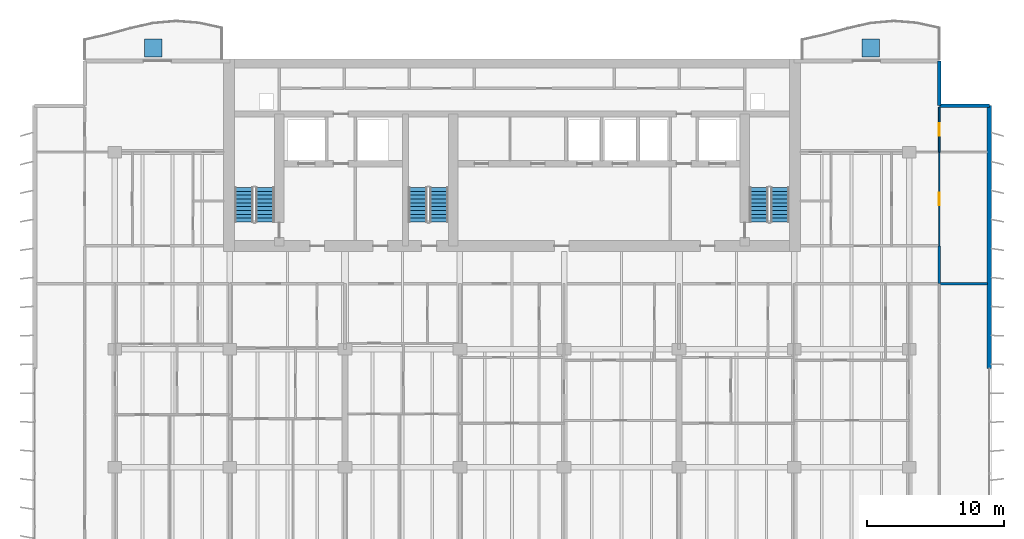
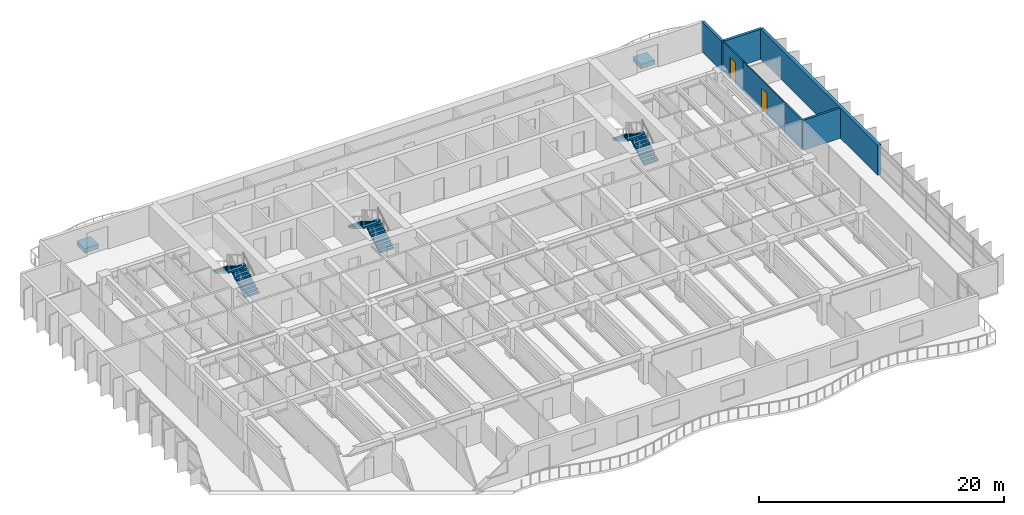
# One storey, part 12 of 16: 7 walls, 6 stair flights, 2 discrete accessories, 2 doors, 2 openings, 3 elements without a shape of their own.
"""IFC4 building model written with IfcOpenShell, lengths in metres."""

from ifc_helpers import new_model, si_unit, direction, frame, frame_2d, origin, origin_2d, place, context, subcontext, project, spatial, polyline, rectangle, outline, extrude, material, layer, layer_set, type_object, element, fill, aggregate, save


model = new_model("IFC4")

# Units and contexts
model_context = context("Model", 3, precision=1e-05, world=origin(), true_north=direction((0.0, 1.0)))
body_context = subcontext(model_context, "Body", "Model", "MODEL_VIEW")
ifc_project = project(units=[si_unit("LENGTHUNIT", "METRE"), si_unit("AREAUNIT", "SQUARE_METRE"), si_unit("VOLUMEUNIT", "CUBIC_METRE"), si_unit("PLANEANGLEUNIT", "RADIAN"), si_unit("MASSUNIT", "GRAM", prefix="KILO")], contexts=[model_context])

# Site, building, storey
site_placement = place(None, origin())
site = spatial("IfcSite", under=ifc_project, at=site_placement, CompositionType="ELEMENT")
building_placement = place(site_placement, origin())
building = spatial("IfcBuilding", under=site, at=building_placement, Name="Caelmar Bay Residences", CompositionType="ELEMENT")
storey_placement = place(building_placement, frame((0.0, 0.0, 148.800048828125)))
storey = spatial("IfcBuildingStorey", under=building, at=storey_placement, Name="L41", CompositionType="ELEMENT", Elevation=148.800048828125)

# Walls
ifc_material_1 = material(Name="Double-stud acoustic fire-rated gypsum partition 180 mm")
ifc_layer_1 = layer(ifc_material_1, 0.179931640625)
ifc_layer_set_1 = layer_set([ifc_layer_1], Name="Double-stud acoustic fire-rated gypsum partition 180 mm")
wall_type_1 = type_object("IfcWallType", Name="W-COR-200", PredefinedType="PARTITIONING", material=ifc_layer_set_1)
wall_1_placement = place(storey_placement, frame((70.10009765625, 34.205078125, 0.0), z_axis=(0.0, 0.0, 1.0), x_axis=(0.0, 1.0, 0.0)))
element("IfcWall", 1, at=wall_1_placement, inside=storey, type_object=wall_type_1, Name="L41 Partition Wall V087", PredefinedType="PARTITIONING", context=body_context, shape_type="SweptSolid", body=[
    extrude(rectangle(XDim=2.744873046875, YDim=0.179931640625, at=frame_2d((1.37255859375, 0.0))), origin(), (0.0, 0.0, 1.0), 3.0),
])
ifc_material_2 = material(Name="Precast concrete f'c 40 MPa (6,000 psi)", Category="concrete")
ifc_layer_2 = layer(ifc_material_2, 0.25)
ifc_layer_set_2 = layer_set([ifc_layer_2], Name="Precast concrete f'c 40 MPa (6,000 psi)")
wall_type_2 = type_object("IfcWallType", Name="W-EXT-250", PredefinedType="ELEMENTEDWALL", material=ifc_layer_set_2)
wall_2_placement = place(storey_placement, frame((70.10009765625, 50.449951171875, 0.0), z_axis=(0.0, 0.0, 1.0), x_axis=(0.0, -1.0, 0.0)))
element("IfcWall", 2, at=wall_2_placement, inside=storey, type_object=wall_type_2, Name="L41 NNE-V Notch Wall", PredefinedType="ELEMENTEDWALL", context=body_context, shape_type="SweptSolid", body=[
    extrude(rectangle(XDim=3.25, YDim=0.25, at=frame_2d((1.625, 0.0))), origin(), (0.0, 0.0, 1.0), 3.0),
])
wall_3_placement = place(storey_placement, frame((70.10009765625, 47.199951171875, 0.0), z_axis=(0.0, 0.0, 1.0), x_axis=(1.0, 0.0, 0.0)))
element("IfcWall", 3, at=wall_3_placement, inside=storey, type_object=wall_type_2, Name="L41 NNE-H Notch Wall", PredefinedType="ELEMENTEDWALL", context=body_context, shape_type="SweptSolid", body=[
    extrude(rectangle(XDim=3.64990234375, YDim=0.25, at=frame_2d((1.824951171875, 0.0))), origin(), (0.0, 0.0, 1.0), 3.0),
])
ifc_layer_3 = layer(ifc_material_2, 0.300048828125)
ifc_layer_set_3 = layer_set([ifc_layer_3], Name="Precast concrete f'c 40 MPa (6,000 psi)")
wall_type_3 = type_object("IfcWallType", Name="W-EXT-300", PredefinedType="STANDARD", material=ifc_layer_set_3)
wall_4_placement = place(storey_placement, frame((73.75, 47.199951171875, 0.0), z_axis=(0.0, 0.0, 1.0), x_axis=(0.0, -1.0, 0.0)))
element("IfcWall", 4, at=wall_4_placement, inside=storey, type_object=wall_type_3, Name="L41 East Rear Exterior Wall", PredefinedType="STANDARD", context=body_context, shape_type="SweptSolid", body=[
    extrude(rectangle(XDim=19.199951171875, YDim=0.300048828125, at=frame_2d((9.60009765625, 0.0))), origin(), (0.0, 0.0, 1.0), 3.0),
])

# Wall, opening, door
ifc_material_3 = material(Name="Anodised bronze framed acoustic sliding study partition 100 mm")
ifc_layer_4 = layer(ifc_material_3, 0.10009765625)
ifc_layer_set_4 = layer_set([ifc_layer_4], Name="Anodised bronze framed acoustic sliding study partition 100 mm")
wall_type_4 = type_object("IfcWallType", Name="W-MOV-100", PredefinedType="MOVABLE", material=ifc_layer_set_4)
wall_5_placement = place(storey_placement, frame((70.10009765625, 36.955078125, 0.0), z_axis=(0.0, 0.0, 1.0), x_axis=(0.0, 1.0, 0.0)))
wall_5 = element("IfcWall", 5, at=wall_5_placement, inside=storey, type_object=wall_type_4, Name="L41 Partition Wall V088", PredefinedType="MOVABLE", context=body_context, shape_type="SweptSolid", body=[
    extrude(rectangle(XDim=6.844970703125, YDim=0.10009765625, at=frame_2d((3.42236328125, 0.0))), origin(), (0.0, 0.0, 1.0), 3.0),
])
opening_1_placement = place(wall_5_placement, frame((2.972412109375, 0.0, 0.0)))
opening_1 = element("IfcOpeningElement", 6, at=opening_1_placement, cuts=wall_5, Name="Opening D-L41-180", PredefinedType="OPENING", context=body_context, shape_type="SweptSolid", body=[
    extrude(rectangle(XDim=0.89990234375, YDim=2.14990234375, at=frame_2d((0.449951171875, 1.074951171875))), frame((0.0, 0.06005859375, 0.0), z_axis=(0.0, -1.0, 0.0), x_axis=(1.0, 0.0, 0.0)), (0.0, 0.0, 1.0), 0.1201171875),
])
ifc_material_4 = material(Name="Solid walnut timber interior door leaf and frame", Category="wood")
ifc_layer_5 = layer(ifc_material_4, 0.050048828125)
ifc_layer_set_5 = layer_set([ifc_layer_5], Name="Solid walnut timber interior door leaf and frame")
door_type = type_object("IfcDoorType", Name="D-ROOM-900", OperationType="NOTDEFINED", PredefinedType="DOOR", material=ifc_layer_set_5)
door_1_placement = place(opening_1_placement, origin())
door_1 = element("IfcDoor", 7, at=door_1_placement, inside=storey, type_object=door_type, Name="L41 Residence EA Sun Study Door", OperationType="SINGLE_SWING_LEFT", OverallHeight=2.14990234375, OverallWidth=0.89990234375, PredefinedType="DOOR", context=body_context, shape_type="SweptSolid", body=[
    extrude(rectangle(XDim=0.89990234375, YDim=2.14990234375, at=frame_2d((0.449951171875, 1.074951171875))), frame((0.0, 0.02490234375, 0.0), z_axis=(0.0, -1.0, 0.0), x_axis=(1.0, 0.0, 0.0)), (0.0, 0.0, 1.0), 0.050048828125),
])
fill(opening_1, door_1)

ifc_material_5 = material(Name="Acoustic metal-stud gypsum partition 120 mm")
ifc_layer_6 = layer(ifc_material_5, 0.1201171875)
ifc_layer_set_6 = layer_set([ifc_layer_6], Name="Acoustic metal-stud gypsum partition 120 mm")
wall_type_5 = type_object("IfcWallType", Name="W-PRT-120", PredefinedType="PARTITIONING", material=ifc_layer_set_6)
wall_6_placement = place(storey_placement, frame((70.10009765625, 43.804931640625, 0.0), z_axis=(0.0, 0.0, 1.0), x_axis=(0.0, 1.0, 0.0)))
wall_6 = element("IfcWall", 8, at=wall_6_placement, inside=storey, type_object=wall_type_5, Name="L41 Partition Wall V089", PredefinedType="PARTITIONING", context=body_context, shape_type="SweptSolid", body=[
    extrude(rectangle(XDim=3.275146484375, YDim=0.1201171875, at=frame_2d((1.6376953125, 0.0))), origin(), (0.0, 0.0, 1.0), 3.0),
])
opening_2_placement = place(wall_6_placement, frame((1.1875, 0.0, 0.0)))
opening_2 = element("IfcOpeningElement", 9, at=opening_2_placement, cuts=wall_6, Name="Opening D-L41-181", PredefinedType="OPENING", context=body_context, shape_type="SweptSolid", body=[
    extrude(rectangle(XDim=0.89990234375, YDim=2.14990234375, at=frame_2d((0.449951171875, 1.074951171875))), frame((0.0, 0.070068359375, 0.0), z_axis=(0.0, -1.0, 0.0), x_axis=(1.0, 0.0, 0.0)), (0.0, 0.0, 1.0), 0.14013671875),
])
door_2_placement = place(opening_2_placement, origin())
door_2 = element("IfcDoor", 10, at=door_2_placement, inside=storey, type_object=door_type, Name="L41 Residence EA North Sitting Alcove Door", OperationType="SINGLE_SWING_RIGHT", OverallHeight=2.14990234375, OverallWidth=0.89990234375, PredefinedType="DOOR", context=body_context, shape_type="SweptSolid", body=[
    extrude(rectangle(XDim=0.89990234375, YDim=2.14990234375, at=frame_2d((0.449951171875, 1.074951171875))), frame((0.0, 0.02490234375, 0.0), z_axis=(0.0, -1.0, 0.0), x_axis=(1.0, 0.0, 0.0)), (0.0, 0.0, 1.0), 0.050048828125),
])
fill(opening_2, door_2)

# Wall
ifc_material_6 = material(Name="Acoustic twin-stud fire-rated inter-tenancy partition 200 mm")
ifc_layer_7 = layer(ifc_material_6, 0.199951171875)
ifc_layer_set_7 = layer_set([ifc_layer_7], Name="Acoustic twin-stud fire-rated inter-tenancy partition 200 mm")
wall_type_6 = type_object("IfcWallType", Name="W-PTY-200", PredefinedType="PARTITIONING", material=ifc_layer_set_7)
wall_7_placement = place(storey_placement, frame((70.10498046875, 34.199951171875, 0.0), z_axis=(0.0, 0.0, 1.0), x_axis=(1.0, 0.0, 0.0)))
element("IfcWall", 11, at=wall_7_placement, inside=storey, type_object=wall_type_6, Name="L41 Partition Wall H114", PredefinedType="PARTITIONING", context=body_context, shape_type="SweptSolid", body=[
    extrude(rectangle(XDim=3.5, YDim=0.199951171875, at=frame_2d((1.75, 0.0))), origin(), (0.0, 0.0, 1.0), 3.0),
])

# Stair, stair flights
ifc_material_7 = material(Name="Concrete f'c 40 MPa (6,000 psi)", Category="concrete")
stair_type = type_object("IfcStairType", Name="ST-TYP-165", PredefinedType="HALF_TURN_STAIR", material=ifc_material_7)
stair_1_placement = place(storey_placement, origin())
stair_1 = element("IfcStair", 12, at=stair_1_placement, inside=storey, type_object=stair_type, Name="L41 West Smokeproof Exit Stair ST1", PredefinedType="HALF_TURN_STAIR")
stair_flight_type = type_object("IfcStairFlightType", Name="STF-1350", PredefinedType="STRAIGHT", material=ifc_material_7)
stair_flight_1_placement = place(storey_placement, frame((20.875, 38.699951171875, 0.0), z_axis=(0.0, 0.0, 1.0), x_axis=(0.0, 1.0, 0.0)))
stair_flight_1 = element("IfcStairFlight", 13, at=stair_flight_1_placement, type_object=stair_flight_type, Name="ST1 flight 1", NumberOfRisers=10, NumberOfTreads=9, PredefinedType="STRAIGHT", RiserHeight=0.165, TreadLength=0.28, context=body_context, shape_type="SweptSolid", body=[
    extrude(outline(polyline([(0.0, 0.0), (0.0, 0.1650390625), (0.280029296875, 0.1650390625), (0.280029296875, 0.330078125), (0.56005859375, 0.330078125), (0.56005859375, 0.4951171875), (0.840087890625, 0.4951171875), (0.840087890625, 0.659912109375), (1.1201171875, 0.659912109375), (1.1201171875, 0.824951171875), (1.39990234375, 0.824951171875), (1.39990234375, 0.989990234375), (1.679931640625, 0.989990234375), (1.679931640625, 1.155029296875), (1.9599609375, 1.155029296875), (1.9599609375, 1.320068359375), (2.239990234375, 1.320068359375), (2.239990234375, 1.485107421875), (2.52001953125, 1.485107421875), (2.52001953125, 1.64990234375), (2.52001953125, 1.31103515625), (0.295166015625, 0.0), (0.0, 0.0)])), frame((0.0, 0.675048828125, 0.0), z_axis=(0.0, -1.0, 0.0), x_axis=(1.0, 0.0, 0.0)), (0.0, 0.0, 1.0), 1.35009765625),
])
stair_flight_2_placement = place(storey_placement, frame((19.324951171875, 41.219970703125, 1.64990234375), z_axis=(0.0, 0.0, 1.0), x_axis=(0.0, -1.0, 0.0)))
stair_flight_2 = element("IfcStairFlight", 14, at=stair_flight_2_placement, type_object=stair_flight_type, Name="ST1 flight 2", NumberOfRisers=10, NumberOfTreads=9, PredefinedType="STRAIGHT", RiserHeight=0.165, TreadLength=0.28, context=body_context, shape_type="SweptSolid", body=[
    extrude(outline(polyline([(0.0, 0.0), (0.0, 0.1650390625), (0.280029296875, 0.1650390625), (0.280029296875, 0.330078125), (0.56005859375, 0.330078125), (0.56005859375, 0.4951171875), (0.840087890625, 0.4951171875), (0.840087890625, 0.659912109375), (1.1201171875, 0.659912109375), (1.1201171875, 0.824951171875), (1.39990234375, 0.824951171875), (1.39990234375, 0.989990234375), (1.679931640625, 0.989990234375), (1.679931640625, 1.155029296875), (1.9599609375, 1.155029296875), (1.9599609375, 1.320068359375), (2.239990234375, 1.320068359375), (2.239990234375, 1.485107421875), (2.52001953125, 1.485107421875), (2.52001953125, 1.64990234375), (2.52001953125, 1.31103515625), (0.295166015625, 0.0), (0.0, 0.0)])), frame((0.0, 0.675048828125, 0.0), z_axis=(0.0, -1.0, 0.0), x_axis=(1.0, 0.0, 0.0)), (0.0, 0.0, 1.0), 1.35009765625),
])
aggregate(stair_1, [stair_flight_1, stair_flight_2])

stair_2_placement = place(storey_placement, origin())
stair_2 = element("IfcStair", 15, at=stair_2_placement, inside=storey, type_object=stair_type, Name="L41 East Smokeproof Exit Stair ST2", PredefinedType="HALF_TURN_STAIR")
stair_flight_3_placement = place(storey_placement, frame((58.47509765625, 38.699951171875, 0.0), z_axis=(0.0, 0.0, 1.0), x_axis=(0.0, 1.0, 0.0)))
stair_flight_3 = element("IfcStairFlight", 16, at=stair_flight_3_placement, type_object=stair_flight_type, Name="ST2 flight 1", NumberOfRisers=10, NumberOfTreads=9, PredefinedType="STRAIGHT", RiserHeight=0.165, TreadLength=0.28, context=body_context, shape_type="SweptSolid", body=[
    extrude(outline(polyline([(0.0, 0.0), (0.0, 0.1650390625), (0.280029296875, 0.1650390625), (0.280029296875, 0.330078125), (0.56005859375, 0.330078125), (0.56005859375, 0.4951171875), (0.840087890625, 0.4951171875), (0.840087890625, 0.659912109375), (1.1201171875, 0.659912109375), (1.1201171875, 0.824951171875), (1.39990234375, 0.824951171875), (1.39990234375, 0.989990234375), (1.679931640625, 0.989990234375), (1.679931640625, 1.155029296875), (1.9599609375, 1.155029296875), (1.9599609375, 1.320068359375), (2.239990234375, 1.320068359375), (2.239990234375, 1.485107421875), (2.52001953125, 1.485107421875), (2.52001953125, 1.64990234375), (2.52001953125, 1.31103515625), (0.295166015625, 0.0), (0.0, 0.0)])), frame((0.0, 0.675048828125, 0.0), z_axis=(0.0, -1.0, 0.0), x_axis=(1.0, 0.0, 0.0)), (0.0, 0.0, 1.0), 1.35009765625),
])
stair_flight_4_placement = place(storey_placement, frame((56.925048828125, 41.219970703125, 1.64990234375), z_axis=(0.0, 0.0, 1.0), x_axis=(0.0, -1.0, 0.0)))
stair_flight_4 = element("IfcStairFlight", 17, at=stair_flight_4_placement, type_object=stair_flight_type, Name="ST2 flight 2", NumberOfRisers=10, NumberOfTreads=9, PredefinedType="STRAIGHT", RiserHeight=0.165, TreadLength=0.28, context=body_context, shape_type="SweptSolid", body=[
    extrude(outline(polyline([(0.0, 0.0), (0.0, 0.1650390625), (0.280029296875, 0.1650390625), (0.280029296875, 0.330078125), (0.56005859375, 0.330078125), (0.56005859375, 0.4951171875), (0.840087890625, 0.4951171875), (0.840087890625, 0.659912109375), (1.1201171875, 0.659912109375), (1.1201171875, 0.824951171875), (1.39990234375, 0.824951171875), (1.39990234375, 0.989990234375), (1.679931640625, 0.989990234375), (1.679931640625, 1.155029296875), (1.9599609375, 1.155029296875), (1.9599609375, 1.320068359375), (2.239990234375, 1.320068359375), (2.239990234375, 1.485107421875), (2.52001953125, 1.485107421875), (2.52001953125, 1.64990234375), (2.52001953125, 1.31103515625), (0.295166015625, 0.0), (0.0, 0.0)])), frame((0.0, 0.675048828125, 0.0), z_axis=(0.0, -1.0, 0.0), x_axis=(1.0, 0.0, 0.0)), (0.0, 0.0, 1.0), 1.35009765625),
])
aggregate(stair_2, [stair_flight_3, stair_flight_4])

stair_3_placement = place(storey_placement, origin())
stair_3 = element("IfcStair", 18, at=stair_3_placement, inside=storey, type_object=stair_type, Name="L41 Central Smokeproof Exit Stair ST3", PredefinedType="HALF_TURN_STAIR")
stair_flight_5_placement = place(storey_placement, frame((33.574951171875, 38.699951171875, 0.0), z_axis=(0.0, 0.0, 1.0), x_axis=(0.0, 1.0, 0.0)))
stair_flight_5 = element("IfcStairFlight", 19, at=stair_flight_5_placement, type_object=stair_flight_type, Name="ST3 flight 1", NumberOfRisers=10, NumberOfTreads=9, PredefinedType="STRAIGHT", RiserHeight=0.165, TreadLength=0.28, context=body_context, shape_type="SweptSolid", body=[
    extrude(outline(polyline([(0.0, 0.0), (0.0, 0.1650390625), (0.280029296875, 0.1650390625), (0.280029296875, 0.330078125), (0.56005859375, 0.330078125), (0.56005859375, 0.4951171875), (0.840087890625, 0.4951171875), (0.840087890625, 0.659912109375), (1.1201171875, 0.659912109375), (1.1201171875, 0.824951171875), (1.39990234375, 0.824951171875), (1.39990234375, 0.989990234375), (1.679931640625, 0.989990234375), (1.679931640625, 1.155029296875), (1.9599609375, 1.155029296875), (1.9599609375, 1.320068359375), (2.239990234375, 1.320068359375), (2.239990234375, 1.485107421875), (2.52001953125, 1.485107421875), (2.52001953125, 1.64990234375), (2.52001953125, 1.31103515625), (0.295166015625, 0.0), (0.0, 0.0)])), frame((0.0, 0.675048828125, 0.0), z_axis=(0.0, -1.0, 0.0), x_axis=(1.0, 0.0, 0.0)), (0.0, 0.0, 1.0), 1.35009765625),
])
stair_flight_6_placement = place(storey_placement, frame((32.02490234375, 41.219970703125, 1.64990234375), z_axis=(0.0, 0.0, 1.0), x_axis=(0.0, -1.0, 0.0)))
stair_flight_6 = element("IfcStairFlight", 20, at=stair_flight_6_placement, type_object=stair_flight_type, Name="ST3 flight 2", NumberOfRisers=10, NumberOfTreads=9, PredefinedType="STRAIGHT", RiserHeight=0.165, TreadLength=0.28, context=body_context, shape_type="SweptSolid", body=[
    extrude(outline(polyline([(0.0, 0.0), (0.0, 0.1650390625), (0.280029296875, 0.1650390625), (0.280029296875, 0.330078125), (0.56005859375, 0.330078125), (0.56005859375, 0.4951171875), (0.840087890625, 0.4951171875), (0.840087890625, 0.659912109375), (1.1201171875, 0.659912109375), (1.1201171875, 0.824951171875), (1.39990234375, 0.824951171875), (1.39990234375, 0.989990234375), (1.679931640625, 0.989990234375), (1.679931640625, 1.155029296875), (1.9599609375, 1.155029296875), (1.9599609375, 1.320068359375), (2.239990234375, 1.320068359375), (2.239990234375, 1.485107421875), (2.52001953125, 1.485107421875), (2.52001953125, 1.64990234375), (2.52001953125, 1.31103515625), (0.295166015625, 0.0), (0.0, 0.0)])), frame((0.0, 0.675048828125, 0.0), z_axis=(0.0, -1.0, 0.0), x_axis=(1.0, 0.0, 0.0)), (0.0, 0.0, 1.0), 1.35009765625),
])
aggregate(stair_3, [stair_flight_5, stair_flight_6])

# Discrete accessories
discrete_accessory_type = type_object("IfcDiscreteAccessoryType", Name="STR-PLANTER-KERB-450", PredefinedType="USERDEFINED", material=ifc_material_2)
for number, where, z_axis, x_axis, name in (
    (21, (12.699951171875, 51.39990234375, 0.0), (0.0, 0.0, 1.0), (1.0, 0.0, 0.0), "L41 north_west Structural Tree Planter Kerb"),
    (22, (65.10009765625, 51.39990234375, 0.0), (0.0, 0.0, 1.0), (1.0, 0.0, 0.0), "L41 north_east Structural Tree Planter Kerb"),
):
    element("IfcDiscreteAccessory", number, at=place(storey_placement, frame(where, z_axis=z_axis, x_axis=x_axis)), inside=storey, type_object=discrete_accessory_type, Name=name, ObjectType="PLANTER", PredefinedType="USERDEFINED", context=body_context, shape_type="SweptSolid", body=[
        extrude(rectangle(XDim=1.300048828125, YDim=1.300048828125, at=origin_2d()), origin(), (0.0, 0.0, 1.0), 0.449951171875),
    ])

save(model, "model.ifc")
